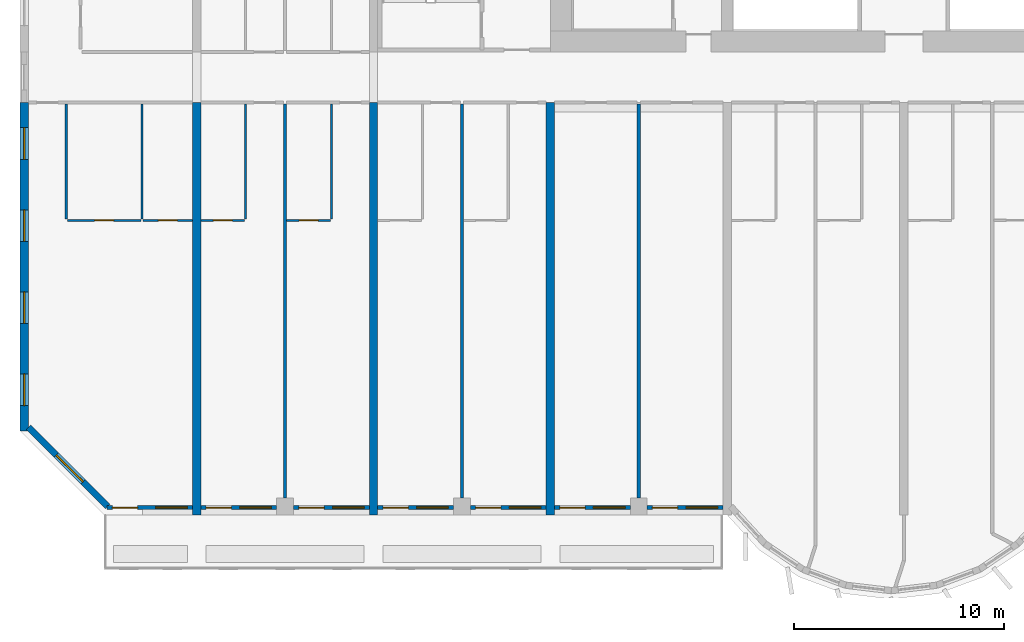
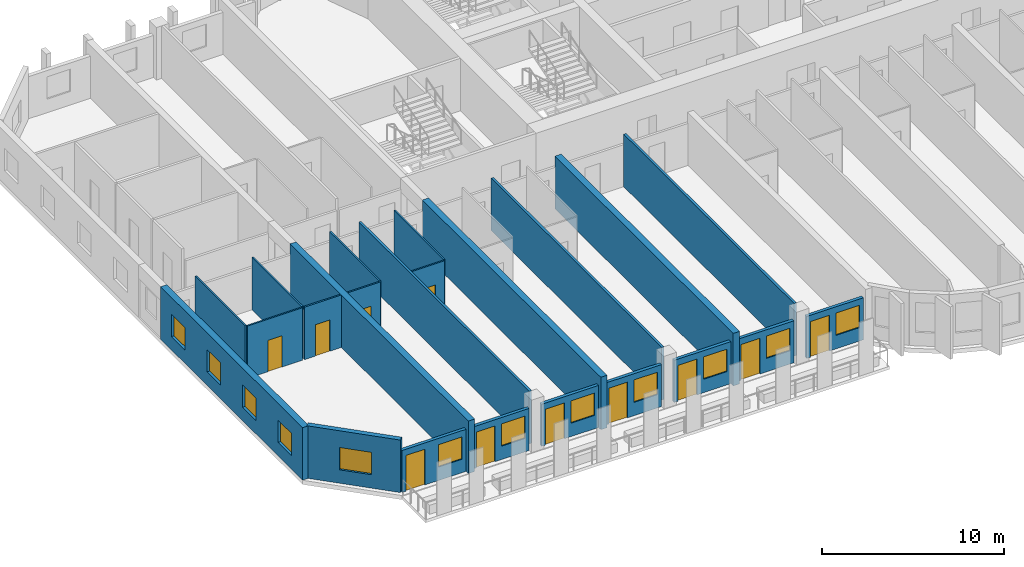
# One storey, part 2 of 14: 23 walls, 12 windows, 11 doors, 23 openings.
"""IFC4 building model written with IfcOpenShell, lengths in metres."""

from ifc_helpers import new_model, si_unit, direction, frame, frame_2d, origin, place, context, subcontext, project, spatial, rectangle, extrude, source, transform, mapped, material, layer, layer_set, type_object, element, fill, save


model = new_model("IFC4")

# Units and contexts
model_context = context("Model", 3, precision=1e-05, world=origin(), true_north=direction((0.0, 1.0)))
body_context = subcontext(model_context, "Body", "Model", "MODEL_VIEW")
ifc_project = project(units=[si_unit("LENGTHUNIT", "METRE"), si_unit("AREAUNIT", "SQUARE_METRE"), si_unit("VOLUMEUNIT", "CUBIC_METRE"), si_unit("PLANEANGLEUNIT", "RADIAN"), si_unit("MASSUNIT", "GRAM", prefix="KILO")], contexts=[model_context])

# Site, building, storey
site_placement = place(None, origin())
site = spatial("IfcSite", under=ifc_project, at=site_placement, CompositionType="ELEMENT")
building_placement = place(site_placement, origin())
building = spatial("IfcBuilding", under=site, at=building_placement, Name="Vanashikhar Sky Hotel", CompositionType="ELEMENT")
storey_placement = place(building_placement, frame((0.0, 0.0, 73.39990234375)))
storey = spatial("IfcBuildingStorey", under=building, at=storey_placement, Name="L17", CompositionType="ELEMENT", Elevation=73.39990234375)

# Wall, openings, windows
ifc_material_1 = material(Name="Concrete M80", Category="concrete")
ifc_layer_1 = layer(ifc_material_1, 0.39990234375)
ifc_layer_set_1 = layer_set([ifc_layer_1], Name="RC shear wall 400 Concrete M80")
wall_type_1 = type_object("IfcWallType", Name="RC shear wall 400 Concrete M80", PredefinedType="SHEAR", material=ifc_layer_set_1)
shared_shape_1 = source(origin(), body_context, "Body", "SweptSolid", [
    extrude(rectangle(XDim=15.60009765625, YDim=0.39990234375, at=frame_2d((7.800048828125, 0.0))), origin(), (0.0, 0.0, 1.0), 3.52001953125),
])
wall_1_placement = place(storey_placement, frame((0.199951171875, 4.0, 0.0), z_axis=(0.0, 0.0, 1.0), x_axis=(0.0, 1.0, 0.0)))
wall_1 = element("IfcWall", 1, at=wall_1_placement, inside=storey, type_object=wall_type_1, Name="CW-L17-XW01-1", PredefinedType="SHEAR", context=body_context, shape_type="MappedRepresentation", body=[
    mapped(shared_shape_1, transform((0.0, 0.0, 0.0), scale=1.0)),
])
shared_shape_2 = source(origin(), body_context, "Body", "SweptSolid", [
    extrude(rectangle(XDim=1.5, YDim=1.5, at=frame_2d((0.75, 0.75))), frame((0.0, 0.2099609375, 0.0), z_axis=(0.0, -1.0, 0.0), x_axis=(1.0, 0.0, 0.0)), (0.0, 0.0, 1.0), 0.419921875),
])
opening_1_placement = place(wall_1_placement, frame((1.199951171875, 0.0, 0.89990234375)))
opening_1 = element("IfcOpeningElement", 2, at=opening_1_placement, cuts=wall_1, Name="Opening WN-1", PredefinedType="OPENING", context=body_context, shape_type="MappedRepresentation", body=[
    mapped(shared_shape_2, transform((0.0, 0.0, 0.0), scale=1.0)),
])
opening_2_placement = place(wall_1_placement, frame((5.10009765625, 0.0, 0.89990234375)))
opening_2 = element("IfcOpeningElement", 3, at=opening_2_placement, cuts=wall_1, Name="Opening WN-1", PredefinedType="OPENING", context=body_context, shape_type="MappedRepresentation", body=[
    mapped(shared_shape_2, transform((0.0, 0.0, 0.0), scale=1.0)),
])
opening_3_placement = place(wall_1_placement, frame((9.0, 0.0, 0.89990234375)))
opening_3 = element("IfcOpeningElement", 4, at=opening_3_placement, cuts=wall_1, Name="Opening WN-1", PredefinedType="OPENING", context=body_context, shape_type="MappedRepresentation", body=[
    mapped(shared_shape_2, transform((0.0, 0.0, 0.0), scale=1.0)),
])
opening_4_placement = place(wall_1_placement, frame((12.89990234375, 0.0, 0.89990234375)))
opening_4 = element("IfcOpeningElement", 5, at=opening_4_placement, cuts=wall_1, Name="Opening WN-1", PredefinedType="OPENING", context=body_context, shape_type="MappedRepresentation", body=[
    mapped(shared_shape_2, transform((0.0, 0.0, 0.0), scale=1.0)),
])
ifc_material_2 = material(Name="Glass", Category="glass")
window_type_1 = type_object("IfcWindowType", Name="Window 1500 x 1500", PartitioningType="SINGLE_PANEL", PredefinedType="WINDOW", material=ifc_material_2)
shared_shape_3 = source(origin(), body_context, "Body", "SweptSolid", [
    extrude(rectangle(XDim=1.5, YDim=1.5, at=frame_2d((0.75, 0.75))), frame((0.0, 0.030029296875, 0.0), z_axis=(0.0, -1.0, 0.0), x_axis=(1.0, 0.0, 0.0)), (0.0, 0.0, 1.0), 0.06005859375),
])
window_1_placement = place(opening_1_placement, origin())
window_1 = element("IfcWindow", 6, at=window_1_placement, inside=storey, type_object=window_type_1, Name="Window WN-1", OverallHeight=1.5, OverallWidth=1.5, PartitioningType="SINGLE_PANEL", PredefinedType="WINDOW", context=body_context, shape_type="MappedRepresentation", body=[
    mapped(shared_shape_3, transform((0.0, 0.0, 0.0), scale=1.0)),
])
fill(opening_1, window_1)
window_2_placement = place(opening_2_placement, origin())
window_2 = element("IfcWindow", 7, at=window_2_placement, inside=storey, type_object=window_type_1, Name="Window WN-1", OverallHeight=1.5, OverallWidth=1.5, PartitioningType="SINGLE_PANEL", PredefinedType="WINDOW", context=body_context, shape_type="MappedRepresentation", body=[
    mapped(shared_shape_3, transform((0.0, 0.0, 0.0), scale=1.0)),
])
fill(opening_2, window_2)
window_3_placement = place(opening_3_placement, origin())
window_3 = element("IfcWindow", 8, at=window_3_placement, inside=storey, type_object=window_type_1, Name="Window WN-1", OverallHeight=1.5, OverallWidth=1.5, PartitioningType="SINGLE_PANEL", PredefinedType="WINDOW", context=body_context, shape_type="MappedRepresentation", body=[
    mapped(shared_shape_3, transform((0.0, 0.0, 0.0), scale=1.0)),
])
fill(opening_3, window_3)
window_4_placement = place(opening_4_placement, origin())
window_4 = element("IfcWindow", 9, at=window_4_placement, inside=storey, type_object=window_type_1, Name="Window WN-1", OverallHeight=1.5, OverallWidth=1.5, PartitioningType="SINGLE_PANEL", PredefinedType="WINDOW", context=body_context, shape_type="MappedRepresentation", body=[
    mapped(shared_shape_3, transform((0.0, 0.0, 0.0), scale=1.0)),
])
fill(opening_4, window_4)

# Walls
shared_shape_4 = source(origin(), body_context, "Body", "SweptSolid", [
    extrude(rectangle(XDim=19.60009765625, YDim=0.39990234375, at=frame_2d((9.800048828125, 0.0))), origin(), (0.0, 0.0, 1.0), 3.52001953125),
])
for number, where, z_axis, x_axis, name in (
    (10, (8.39990234375, 0.0, 0.0), (0.0, 0.0, 1.0), (0.0, 1.0, 0.0), "CW-L17-XW02-1"),
    (11, (16.800048828125, 0.0, 0.0), (0.0, 0.0, 1.0), (0.0, 1.0, 0.0), "CW-L17-XW03-1"),
    (12, (25.199951171875, 0.0, 0.0), (0.0, 0.0, 1.0), (0.0, 1.0, 0.0), "CW-L17-XW04-1"),
):
    element("IfcWall", number, at=place(storey_placement, frame(where, z_axis=z_axis, x_axis=x_axis)), inside=storey, type_object=wall_type_1, Name=name, PredefinedType="SHEAR", context=body_context, shape_type="MappedRepresentation", body=[
        mapped(shared_shape_4, transform((0.0, 0.0, 0.0), scale=1.0)),
    ])

# Wall, opening, window
ifc_material_3 = material(Name="Concrete M50", Category="concrete")
ifc_layer_2 = layer(ifc_material_3, 0.300048828125)
ifc_layer_set_2 = layer_set([ifc_layer_2], Name="Lobe wall 300")
wall_type_2 = type_object("IfcWallType", Name="Lobe wall 300", PredefinedType="SOLIDWALL", material=ifc_layer_set_2)
shared_shape_5 = source(origin(), body_context, "Body", "SweptSolid", [
    extrude(rectangle(XDim=5.32568359375, YDim=0.300048828125, at=frame_2d((2.662841796875, 0.0))), origin(), (0.0, 0.0, 1.0), 3.52001953125),
])
wall_2_placement = place(storey_placement, frame((0.39990234375, 4.165771484375, 0.0), z_axis=(0.0, 0.0, 1.0), x_axis=(0.707106781187, -0.707106781187, 0.0)))
wall_2 = element("IfcWall", 13, at=wall_2_placement, inside=storey, type_object=wall_type_2, Name="Corner wall", PredefinedType="SOLIDWALL", context=body_context, shape_type="MappedRepresentation", body=[
    mapped(shared_shape_5, transform((0.0, 0.0, 0.0), scale=1.0)),
])
shared_shape_6 = source(origin(), body_context, "Body", "SweptSolid", [
    extrude(rectangle(XDim=1.800048828125, YDim=1.5, at=frame_2d((0.89990234375, 0.75))), frame((0.0, 0.16015625, 0.0), z_axis=(0.0, -1.0, 0.0), x_axis=(1.0, 0.0, 0.0)), (0.0, 0.0, 1.0), 0.320068359375),
])
opening_5_placement = place(wall_2_placement, frame((1.871337890625, 0.0, 0.89990234375)))
opening_5 = element("IfcOpeningElement", 14, at=opening_5_placement, cuts=wall_2, Name="Opening WN-4", PredefinedType="OPENING", context=body_context, shape_type="MappedRepresentation", body=[
    mapped(shared_shape_6, transform((0.0, 0.0, 0.0), scale=1.0)),
])
window_type_2 = type_object("IfcWindowType", Name="Corner window 1800 x 1500", PartitioningType="SINGLE_PANEL", PredefinedType="WINDOW", material=ifc_material_2)
shared_shape_7 = source(origin(), body_context, "Body", "SweptSolid", [
    extrude(rectangle(XDim=1.800048828125, YDim=1.5, at=frame_2d((0.89990234375, 0.75))), frame((0.0, 0.030029296875, 0.0), z_axis=(0.0, -1.0, 0.0), x_axis=(1.0, 0.0, 0.0)), (0.0, 0.0, 1.0), 0.06005859375),
])
window_5_placement = place(opening_5_placement, origin())
window_5 = element("IfcWindow", 15, at=window_5_placement, inside=storey, type_object=window_type_2, Name="Window WN-4", OverallHeight=1.5, OverallWidth=1.800048828125, PartitioningType="SINGLE_PANEL", PredefinedType="WINDOW", context=body_context, shape_type="MappedRepresentation", body=[
    mapped(shared_shape_7, transform((0.0, 0.0, 0.0), scale=1.0)),
])
fill(opening_5, window_5)

# Wall, openings, window, door
ifc_layer_3 = layer(ifc_material_3, 0.199951171875)
ifc_layer_set_3 = layer_set([ifc_layer_3], Name="Front window wall 200")
wall_type_3 = type_object("IfcWallType", Name="Front window wall 200", PredefinedType="SOLIDWALL", material=ifc_layer_set_3)
shared_shape_8 = source(origin(), body_context, "Body", "SweptSolid", [
    extrude(rectangle(XDim=4.054931640625, YDim=0.199951171875, at=frame_2d((2.02734375, 0.0))), origin(), (0.0, 0.0, 1.0), 2.820068359375),
])
wall_3_placement = place(storey_placement, frame((4.14501953125, 0.35009765625, 0.0), z_axis=(0.0, 0.0, 1.0), x_axis=(1.0, 0.0, 0.0)))
wall_3 = element("IfcWall", 16, at=wall_3_placement, inside=storey, type_object=wall_type_3, Name="Front window wall", PredefinedType="SOLIDWALL", context=body_context, shape_type="MappedRepresentation", body=[
    mapped(shared_shape_8, transform((0.0, 0.0, 0.0), scale=1.0)),
])
shared_shape_9 = source(origin(), body_context, "Body", "SweptSolid", [
    extrude(rectangle(XDim=1.199951171875, YDim=2.39990234375, at=frame_2d((0.60009765625, 1.199951171875))), frame((0.0, 0.10986328125, 0.0), z_axis=(0.0, -1.0, 0.0), x_axis=(1.0, 0.0, 0.0)), (0.0, 0.0, 1.0), 0.219970703125),
])
opening_6_placement = place(wall_3_placement, frame((0.25, 0.0, 0.0)))
opening_6 = element("IfcOpeningElement", 17, at=opening_6_placement, cuts=wall_3, Name="Opening BD-01", PredefinedType="OPENING", context=body_context, shape_type="MappedRepresentation", body=[
    mapped(shared_shape_9, transform((0.0, 0.0, 0.0), scale=1.0)),
])
shared_shape_10 = source(origin(), body_context, "Body", "SweptSolid", [
    extrude(rectangle(XDim=1.5, YDim=1.5, at=frame_2d((0.75, 0.75))), frame((0.0, 0.10986328125, 0.0), z_axis=(0.0, -1.0, 0.0), x_axis=(1.0, 0.0, 0.0)), (0.0, 0.0, 1.0), 0.219970703125),
])
opening_7_placement = place(wall_3_placement, frame((2.304931640625, 0.0, 0.89990234375)))
opening_7 = element("IfcOpeningElement", 18, at=opening_7_placement, cuts=wall_3, Name="Opening WN-1", PredefinedType="OPENING", context=body_context, shape_type="MappedRepresentation", body=[
    mapped(shared_shape_10, transform((0.0, 0.0, 0.0), scale=1.0)),
])
window_6_placement = place(opening_7_placement, origin())
window_6 = element("IfcWindow", 19, at=window_6_placement, inside=storey, type_object=window_type_1, Name="Window WN-1", OverallHeight=1.5, OverallWidth=1.5, PartitioningType="SINGLE_PANEL", PredefinedType="WINDOW", context=body_context, shape_type="MappedRepresentation", body=[
    mapped(shared_shape_3, transform((0.0, 0.0, 0.0), scale=1.0)),
])
fill(opening_7, window_6)
ifc_material_4 = material(Name="Aluminium", Category="aluminium")
door_type_1 = type_object("IfcDoorType", Name="Balcony sliding door 1200 x 2400", OperationType="NOTDEFINED", PredefinedType="DOOR", material=ifc_material_4)
shared_shape_11 = source(origin(), body_context, "Body", "SweptSolid", [
    extrude(rectangle(XDim=1.199951171875, YDim=2.39990234375, at=frame_2d((0.60009765625, 1.199951171875))), frame((0.0, 0.02490234375, 0.0), z_axis=(0.0, -1.0, 0.0), x_axis=(1.0, 0.0, 0.0)), (0.0, 0.0, 1.0), 0.050048828125),
])
door_1_placement = place(opening_6_placement, origin())
door_1 = element("IfcDoor", 20, at=door_1_placement, inside=storey, type_object=door_type_1, Name="Balcony sliding door", OperationType="SLIDING_TO_LEFT", OverallHeight=2.39990234375, OverallWidth=1.199951171875, PredefinedType="DOOR", context=body_context, shape_type="MappedRepresentation", body=[
    mapped(shared_shape_11, transform((0.0, 0.0, 0.0), scale=1.0)),
])
fill(opening_6, door_1)

shared_shape_12 = source(origin(), body_context, "Body", "SweptSolid", [
    extrude(rectangle(XDim=3.599853515625, YDim=0.199951171875, at=frame_2d((1.7998046875, 0.0))), origin(), (0.0, 0.0, 1.0), 2.820068359375),
])
wall_4_placement = place(storey_placement, frame((8.60009765625, 0.35009765625, 0.0), z_axis=(0.0, 0.0, 1.0), x_axis=(1.0, 0.0, 0.0)))
wall_4 = element("IfcWall", 21, at=wall_4_placement, inside=storey, type_object=wall_type_3, Name="Front window wall", PredefinedType="SOLIDWALL", context=body_context, shape_type="MappedRepresentation", body=[
    mapped(shared_shape_12, transform((0.0, 0.0, 0.0), scale=1.0)),
])
opening_8_placement = place(wall_4_placement, frame((0.25, 0.0, 0.0)))
opening_8 = element("IfcOpeningElement", 22, at=opening_8_placement, cuts=wall_4, Name="Opening BD-02", PredefinedType="OPENING", context=body_context, shape_type="MappedRepresentation", body=[
    mapped(shared_shape_9, transform((0.0, 0.0, 0.0), scale=1.0)),
])
opening_9_placement = place(wall_4_placement, frame((1.85009765625, 0.0, 0.89990234375)))
opening_9 = element("IfcOpeningElement", 23, at=opening_9_placement, cuts=wall_4, Name="Opening WN-1", PredefinedType="OPENING", context=body_context, shape_type="MappedRepresentation", body=[
    mapped(shared_shape_10, transform((0.0, 0.0, 0.0), scale=1.0)),
])
window_7_placement = place(opening_9_placement, origin())
window_7 = element("IfcWindow", 24, at=window_7_placement, inside=storey, type_object=window_type_1, Name="Window WN-1", OverallHeight=1.5, OverallWidth=1.5, PartitioningType="SINGLE_PANEL", PredefinedType="WINDOW", context=body_context, shape_type="MappedRepresentation", body=[
    mapped(shared_shape_3, transform((0.0, 0.0, 0.0), scale=1.0)),
])
fill(opening_9, window_7)
door_2_placement = place(opening_8_placement, origin())
door_2 = element("IfcDoor", 25, at=door_2_placement, inside=storey, type_object=door_type_1, Name="Balcony sliding door", OperationType="SLIDING_TO_RIGHT", OverallHeight=2.39990234375, OverallWidth=1.199951171875, PredefinedType="DOOR", context=body_context, shape_type="MappedRepresentation", body=[
    mapped(shared_shape_11, transform((0.0, 0.0, 0.0), scale=1.0)),
])
fill(opening_8, door_2)

wall_5_placement = place(storey_placement, frame((29.800048828125, 0.35009765625, 0.0), z_axis=(0.0, 0.0, 1.0), x_axis=(1.0, 0.0, 0.0)))
wall_5 = element("IfcWall", 26, at=wall_5_placement, inside=storey, type_object=wall_type_3, Name="Front window wall", PredefinedType="SOLIDWALL", context=body_context, shape_type="MappedRepresentation", body=[
    mapped(shared_shape_12, transform((0.0, 0.0, 0.0), scale=1.0)),
])
opening_10_placement = place(wall_5_placement, frame((0.25, 0.0, 0.0)))
opening_10 = element("IfcOpeningElement", 27, at=opening_10_placement, cuts=wall_5, Name="Opening BD-07", PredefinedType="OPENING", context=body_context, shape_type="MappedRepresentation", body=[
    mapped(shared_shape_9, transform((0.0, 0.0, 0.0), scale=1.0)),
])
opening_11_placement = place(wall_5_placement, frame((1.85009765625, 0.0, 0.89990234375)))
opening_11 = element("IfcOpeningElement", 28, at=opening_11_placement, cuts=wall_5, Name="Opening WN-1", PredefinedType="OPENING", context=body_context, shape_type="MappedRepresentation", body=[
    mapped(shared_shape_10, transform((0.0, 0.0, 0.0), scale=1.0)),
])
window_8_placement = place(opening_11_placement, origin())
window_8 = element("IfcWindow", 29, at=window_8_placement, inside=storey, type_object=window_type_1, Name="Window WN-1", OverallHeight=1.5, OverallWidth=1.5, PartitioningType="SINGLE_PANEL", PredefinedType="WINDOW", context=body_context, shape_type="MappedRepresentation", body=[
    mapped(shared_shape_3, transform((0.0, 0.0, 0.0), scale=1.0)),
])
fill(opening_11, window_8)
door_3_placement = place(opening_10_placement, origin())
door_3 = element("IfcDoor", 30, at=door_3_placement, inside=storey, type_object=door_type_1, Name="Balcony sliding door", OperationType="SLIDING_TO_LEFT", OverallHeight=2.39990234375, OverallWidth=1.199951171875, PredefinedType="DOOR", context=body_context, shape_type="MappedRepresentation", body=[
    mapped(shared_shape_11, transform((0.0, 0.0, 0.0), scale=1.0)),
])
fill(opening_10, door_3)

shared_shape_13 = source(origin(), body_context, "Body", "SweptSolid", [
    extrude(rectangle(XDim=3.60009765625, YDim=0.199951171875, at=frame_2d((1.800048828125, 0.0))), origin(), (0.0, 0.0, 1.0), 2.820068359375),
])
wall_6_placement = place(storey_placement, frame((13.0, 0.35009765625, 0.0), z_axis=(0.0, 0.0, 1.0), x_axis=(1.0, 0.0, 0.0)))
wall_6 = element("IfcWall", 31, at=wall_6_placement, inside=storey, type_object=wall_type_3, Name="Front window wall", PredefinedType="SOLIDWALL", context=body_context, shape_type="MappedRepresentation", body=[
    mapped(shared_shape_13, transform((0.0, 0.0, 0.0), scale=1.0)),
])
opening_12_placement = place(wall_6_placement, frame((0.25, 0.0, 0.0)))
opening_12 = element("IfcOpeningElement", 32, at=opening_12_placement, cuts=wall_6, Name="Opening BD-03", PredefinedType="OPENING", context=body_context, shape_type="MappedRepresentation", body=[
    mapped(shared_shape_9, transform((0.0, 0.0, 0.0), scale=1.0)),
])
opening_13_placement = place(wall_6_placement, frame((1.85009765625, 0.0, 0.89990234375)))
opening_13 = element("IfcOpeningElement", 33, at=opening_13_placement, cuts=wall_6, Name="Opening WN-1", PredefinedType="OPENING", context=body_context, shape_type="MappedRepresentation", body=[
    mapped(shared_shape_10, transform((0.0, 0.0, 0.0), scale=1.0)),
])
window_9_placement = place(opening_13_placement, origin())
window_9 = element("IfcWindow", 34, at=window_9_placement, inside=storey, type_object=window_type_1, Name="Window WN-1", OverallHeight=1.5, OverallWidth=1.5, PartitioningType="SINGLE_PANEL", PredefinedType="WINDOW", context=body_context, shape_type="MappedRepresentation", body=[
    mapped(shared_shape_3, transform((0.0, 0.0, 0.0), scale=1.0)),
])
fill(opening_13, window_9)
door_4_placement = place(opening_12_placement, origin())
door_4 = element("IfcDoor", 35, at=door_4_placement, inside=storey, type_object=door_type_1, Name="Balcony sliding door", OperationType="SLIDING_TO_LEFT", OverallHeight=2.39990234375, OverallWidth=1.199951171875, PredefinedType="DOOR", context=body_context, shape_type="MappedRepresentation", body=[
    mapped(shared_shape_11, transform((0.0, 0.0, 0.0), scale=1.0)),
])
fill(opening_12, door_4)

wall_7_placement = place(storey_placement, frame((17.0, 0.35009765625, 0.0), z_axis=(0.0, 0.0, 1.0), x_axis=(1.0, 0.0, 0.0)))
wall_7 = element("IfcWall", 36, at=wall_7_placement, inside=storey, type_object=wall_type_3, Name="Front window wall", PredefinedType="SOLIDWALL", context=body_context, shape_type="MappedRepresentation", body=[
    mapped(shared_shape_13, transform((0.0, 0.0, 0.0), scale=1.0)),
])
opening_14_placement = place(wall_7_placement, frame((0.25, 0.0, 0.0)))
opening_14 = element("IfcOpeningElement", 37, at=opening_14_placement, cuts=wall_7, Name="Opening BD-04", PredefinedType="OPENING", context=body_context, shape_type="MappedRepresentation", body=[
    mapped(shared_shape_9, transform((0.0, 0.0, 0.0), scale=1.0)),
])
opening_15_placement = place(wall_7_placement, frame((1.85009765625, 0.0, 0.89990234375)))
opening_15 = element("IfcOpeningElement", 38, at=opening_15_placement, cuts=wall_7, Name="Opening WN-1", PredefinedType="OPENING", context=body_context, shape_type="MappedRepresentation", body=[
    mapped(shared_shape_10, transform((0.0, 0.0, 0.0), scale=1.0)),
])
window_10_placement = place(opening_15_placement, origin())
window_10 = element("IfcWindow", 39, at=window_10_placement, inside=storey, type_object=window_type_1, Name="Window WN-1", OverallHeight=1.5, OverallWidth=1.5, PartitioningType="SINGLE_PANEL", PredefinedType="WINDOW", context=body_context, shape_type="MappedRepresentation", body=[
    mapped(shared_shape_3, transform((0.0, 0.0, 0.0), scale=1.0)),
])
fill(opening_15, window_10)
door_5_placement = place(opening_14_placement, origin())
door_5 = element("IfcDoor", 40, at=door_5_placement, inside=storey, type_object=door_type_1, Name="Balcony sliding door", OperationType="SLIDING_TO_RIGHT", OverallHeight=2.39990234375, OverallWidth=1.199951171875, PredefinedType="DOOR", context=body_context, shape_type="MappedRepresentation", body=[
    mapped(shared_shape_11, transform((0.0, 0.0, 0.0), scale=1.0)),
])
fill(opening_14, door_5)

wall_8_placement = place(storey_placement, frame((21.39990234375, 0.35009765625, 0.0), z_axis=(0.0, 0.0, 1.0), x_axis=(1.0, 0.0, 0.0)))
wall_8 = element("IfcWall", 41, at=wall_8_placement, inside=storey, type_object=wall_type_3, Name="Front window wall", PredefinedType="SOLIDWALL", context=body_context, shape_type="MappedRepresentation", body=[
    mapped(shared_shape_13, transform((0.0, 0.0, 0.0), scale=1.0)),
])
opening_16_placement = place(wall_8_placement, frame((0.25, 0.0, 0.0)))
opening_16 = element("IfcOpeningElement", 42, at=opening_16_placement, cuts=wall_8, Name="Opening BD-05", PredefinedType="OPENING", context=body_context, shape_type="MappedRepresentation", body=[
    mapped(shared_shape_9, transform((0.0, 0.0, 0.0), scale=1.0)),
])
opening_17_placement = place(wall_8_placement, frame((1.85009765625, 0.0, 0.89990234375)))
opening_17 = element("IfcOpeningElement", 43, at=opening_17_placement, cuts=wall_8, Name="Opening WN-1", PredefinedType="OPENING", context=body_context, shape_type="MappedRepresentation", body=[
    mapped(shared_shape_10, transform((0.0, 0.0, 0.0), scale=1.0)),
])
window_11_placement = place(opening_17_placement, origin())
window_11 = element("IfcWindow", 44, at=window_11_placement, inside=storey, type_object=window_type_1, Name="Window WN-1", OverallHeight=1.5, OverallWidth=1.5, PartitioningType="SINGLE_PANEL", PredefinedType="WINDOW", context=body_context, shape_type="MappedRepresentation", body=[
    mapped(shared_shape_3, transform((0.0, 0.0, 0.0), scale=1.0)),
])
fill(opening_17, window_11)
door_6_placement = place(opening_16_placement, origin())
door_6 = element("IfcDoor", 45, at=door_6_placement, inside=storey, type_object=door_type_1, Name="Balcony sliding door", OperationType="SLIDING_TO_LEFT", OverallHeight=2.39990234375, OverallWidth=1.199951171875, PredefinedType="DOOR", context=body_context, shape_type="MappedRepresentation", body=[
    mapped(shared_shape_11, transform((0.0, 0.0, 0.0), scale=1.0)),
])
fill(opening_16, door_6)

wall_9_placement = place(storey_placement, frame((25.39990234375, 0.35009765625, 0.0), z_axis=(0.0, 0.0, 1.0), x_axis=(1.0, 0.0, 0.0)))
wall_9 = element("IfcWall", 46, at=wall_9_placement, inside=storey, type_object=wall_type_3, Name="Front window wall", PredefinedType="SOLIDWALL", context=body_context, shape_type="MappedRepresentation", body=[
    mapped(shared_shape_13, transform((0.0, 0.0, 0.0), scale=1.0)),
])
opening_18_placement = place(wall_9_placement, frame((0.25, 0.0, 0.0)))
opening_18 = element("IfcOpeningElement", 47, at=opening_18_placement, cuts=wall_9, Name="Opening BD-06", PredefinedType="OPENING", context=body_context, shape_type="MappedRepresentation", body=[
    mapped(shared_shape_9, transform((0.0, 0.0, 0.0), scale=1.0)),
])
opening_19_placement = place(wall_9_placement, frame((1.85009765625, 0.0, 0.89990234375)))
opening_19 = element("IfcOpeningElement", 48, at=opening_19_placement, cuts=wall_9, Name="Opening WN-1", PredefinedType="OPENING", context=body_context, shape_type="MappedRepresentation", body=[
    mapped(shared_shape_10, transform((0.0, 0.0, 0.0), scale=1.0)),
])
window_12_placement = place(opening_19_placement, origin())
window_12 = element("IfcWindow", 49, at=window_12_placement, inside=storey, type_object=window_type_1, Name="Window WN-1", OverallHeight=1.5, OverallWidth=1.5, PartitioningType="SINGLE_PANEL", PredefinedType="WINDOW", context=body_context, shape_type="MappedRepresentation", body=[
    mapped(shared_shape_3, transform((0.0, 0.0, 0.0), scale=1.0)),
])
fill(opening_19, window_12)
door_7_placement = place(opening_18_placement, origin())
door_7 = element("IfcDoor", 50, at=door_7_placement, inside=storey, type_object=door_type_1, Name="Balcony sliding door", OperationType="SLIDING_TO_RIGHT", OverallHeight=2.39990234375, OverallWidth=1.199951171875, PredefinedType="DOOR", context=body_context, shape_type="MappedRepresentation", body=[
    mapped(shared_shape_11, transform((0.0, 0.0, 0.0), scale=1.0)),
])
fill(opening_18, door_7)

# Wall, opening, door
ifc_material_5 = material(Name="Gypsum plasterboard partition")
ifc_layer_4 = layer(ifc_material_5, 0.10009765625)
ifc_layer_set_4 = layer_set([ifc_layer_4], Name="Wet room partition 100")
wall_type_4 = type_object("IfcWallType", Name="Wet room partition 100", PredefinedType="PARTITIONING", material=ifc_layer_set_4)
shared_shape_14 = source(origin(), body_context, "Body", "SweptSolid", [
    extrude(rectangle(XDim=3.5, YDim=0.10009765625, at=frame_2d((1.75, 0.0))), origin(), (0.0, 0.0, 1.0), 3.52001953125),
])
wall_10_placement = place(storey_placement, frame((2.25, 14.0, 0.0), z_axis=(0.0, 0.0, 1.0), x_axis=(1.0, 0.0, 0.0)))
wall_10 = element("IfcWall", 51, at=wall_10_placement, inside=storey, type_object=wall_type_4, Name="W-L17-PW003", PredefinedType="PARTITIONING", context=body_context, shape_type="MappedRepresentation", body=[
    mapped(shared_shape_14, transform((0.0, 0.0, 0.0), scale=1.0)),
])
shared_shape_15 = source(origin(), body_context, "Body", "SweptSolid", [
    extrude(rectangle(XDim=0.89990234375, YDim=2.10009765625, at=frame_2d((0.449951171875, 1.050048828125))), frame((0.0, 0.06005859375, 0.0), z_axis=(0.0, -1.0, 0.0), x_axis=(1.0, 0.0, 0.0)), (0.0, 0.0, 1.0), 0.1201171875),
])
opening_20_placement = place(wall_10_placement, frame((1.300048828125, 0.0, 0.0)))
opening_20 = element("IfcOpeningElement", 52, at=opening_20_placement, cuts=wall_10, Name="Opening D-02", PredefinedType="OPENING", context=body_context, shape_type="MappedRepresentation", body=[
    mapped(shared_shape_15, transform((0.0, 0.0, 0.0), scale=1.0)),
])
ifc_material_6 = material(Name="Timber door", Category="wood")
door_type_2 = type_object("IfcDoorType", Name="Internal door 900", OperationType="NOTDEFINED", PredefinedType="DOOR", material=ifc_material_6)
shared_shape_16 = source(origin(), body_context, "Body", "SweptSolid", [
    extrude(rectangle(XDim=0.89990234375, YDim=2.10009765625, at=frame_2d((0.449951171875, 1.050048828125))), frame((0.0, 0.02490234375, 0.0), z_axis=(0.0, -1.0, 0.0), x_axis=(1.0, 0.0, 0.0)), (0.0, 0.0, 1.0), 0.050048828125),
])
door_8_placement = place(opening_20_placement, origin())
door_8 = element("IfcDoor", 53, at=door_8_placement, inside=storey, type_object=door_type_2, Name="D-L17-001", OperationType="SINGLE_SWING_LEFT", OverallHeight=2.10009765625, OverallWidth=0.89990234375, PredefinedType="DOOR", context=body_context, shape_type="MappedRepresentation", body=[
    mapped(shared_shape_16, transform((0.0, 0.0, 0.0), scale=1.0)),
])
fill(opening_20, door_8)

shared_shape_17 = source(origin(), body_context, "Body", "SweptSolid", [
    extrude(rectangle(XDim=2.349853515625, YDim=0.10009765625, at=frame_2d((1.1748046875, 0.0))), origin(), (0.0, 0.0, 1.0), 3.52001953125),
])
wall_11_placement = place(storey_placement, frame((5.85009765625, 14.0, 0.0), z_axis=(0.0, 0.0, 1.0), x_axis=(1.0, 0.0, 0.0)))
wall_11 = element("IfcWall", 54, at=wall_11_placement, inside=storey, type_object=wall_type_4, Name="W-L17-PW004", PredefinedType="PARTITIONING", context=body_context, shape_type="MappedRepresentation", body=[
    mapped(shared_shape_17, transform((0.0, 0.0, 0.0), scale=1.0)),
])
opening_21_placement = place(wall_11_placement, frame((0.72509765625, 0.0, 0.0)))
opening_21 = element("IfcOpeningElement", 55, at=opening_21_placement, cuts=wall_11, Name="Opening D-02", PredefinedType="OPENING", context=body_context, shape_type="MappedRepresentation", body=[
    mapped(shared_shape_15, transform((0.0, 0.0, 0.0), scale=1.0)),
])
door_9_placement = place(opening_21_placement, origin())
door_9 = element("IfcDoor", 56, at=door_9_placement, inside=storey, type_object=door_type_2, Name="D-L17-002", OperationType="SINGLE_SWING_LEFT", OverallHeight=2.10009765625, OverallWidth=0.89990234375, PredefinedType="DOOR", context=body_context, shape_type="MappedRepresentation", body=[
    mapped(shared_shape_16, transform((0.0, 0.0, 0.0), scale=1.0)),
])
fill(opening_21, door_9)

shared_shape_18 = source(origin(), body_context, "Body", "SweptSolid", [
    extrude(rectangle(XDim=2.074951171875, YDim=0.10009765625, at=frame_2d((1.03759765625, 0.0))), origin(), (0.0, 0.0, 1.0), 3.52001953125),
])
wall_12_placement = place(storey_placement, frame((8.60009765625, 14.0, 0.0), z_axis=(0.0, 0.0, 1.0), x_axis=(1.0, 0.0, 0.0)))
wall_12 = element("IfcWall", 57, at=wall_12_placement, inside=storey, type_object=wall_type_4, Name="W-L17-PW007", PredefinedType="PARTITIONING", context=body_context, shape_type="MappedRepresentation", body=[
    mapped(shared_shape_18, transform((0.0, 0.0, 0.0), scale=1.0)),
])
opening_22_placement = place(wall_12_placement, frame((0.587890625, 0.0, 0.0)))
opening_22 = element("IfcOpeningElement", 58, at=opening_22_placement, cuts=wall_12, Name="Opening D-02", PredefinedType="OPENING", context=body_context, shape_type="MappedRepresentation", body=[
    mapped(shared_shape_15, transform((0.0, 0.0, 0.0), scale=1.0)),
])
door_10_placement = place(opening_22_placement, origin())
door_10 = element("IfcDoor", 59, at=door_10_placement, inside=storey, type_object=door_type_2, Name="D-L17-004", OperationType="SINGLE_SWING_RIGHT", OverallHeight=2.10009765625, OverallWidth=0.89990234375, PredefinedType="DOOR", context=body_context, shape_type="MappedRepresentation", body=[
    mapped(shared_shape_16, transform((0.0, 0.0, 0.0), scale=1.0)),
])
fill(opening_22, door_10)

wall_13_placement = place(storey_placement, frame((12.675048828125, 14.0, 0.0), z_axis=(0.0, 0.0, 1.0), x_axis=(1.0, 0.0, 0.0)))
wall_13 = element("IfcWall", 60, at=wall_13_placement, inside=storey, type_object=wall_type_4, Name="W-L17-PW010", PredefinedType="PARTITIONING", context=body_context, shape_type="MappedRepresentation", body=[
    mapped(shared_shape_18, transform((0.0, 0.0, 0.0), scale=1.0)),
])
opening_23_placement = place(wall_13_placement, frame((0.5869140625, 0.0, 0.0)))
opening_23 = element("IfcOpeningElement", 61, at=opening_23_placement, cuts=wall_13, Name="Opening D-02", PredefinedType="OPENING", context=body_context, shape_type="MappedRepresentation", body=[
    mapped(shared_shape_15, transform((0.0, 0.0, 0.0), scale=1.0)),
])
door_11_placement = place(opening_23_placement, origin())
door_11 = element("IfcDoor", 62, at=door_11_placement, inside=storey, type_object=door_type_2, Name="D-L17-006", OperationType="SINGLE_SWING_RIGHT", OverallHeight=2.10009765625, OverallWidth=0.89990234375, PredefinedType="DOOR", context=body_context, shape_type="MappedRepresentation", body=[
    mapped(shared_shape_16, transform((0.0, 0.0, 0.0), scale=1.0)),
])
fill(opening_23, door_11)

# Walls
ifc_layer_5 = layer(ifc_material_5, 0.14990234375)
ifc_layer_set_5 = layer_set([ifc_layer_5], Name="Corridor and demising partition 150")
wall_type_5 = type_object("IfcWallType", Name="Corridor and demising partition 150", PredefinedType="PARTITIONING", material=ifc_layer_set_5)
shared_shape_19 = source(origin(), body_context, "Body", "SweptSolid", [
    extrude(rectangle(XDim=18.724853515625, YDim=0.14990234375, at=frame_2d((9.3623046875, 0.0))), origin(), (0.0, 0.0, 1.0), 3.52001953125),
])
for number, where, z_axis, x_axis, name in (
    (63, (12.60009765625, 0.800048828125, 0.0), (0.0, 0.0, 1.0), (0.0, 1.0, 0.0), "W-L17-PW012"),
    (64, (21.0, 0.800048828125, 0.0), (0.0, 0.0, 1.0), (0.0, 1.0, 0.0), "W-L17-PW019"),
    (65, (29.39990234375, 0.800048828125, 0.0), (0.0, 0.0, 1.0), (0.0, 1.0, 0.0), "W-L17-PW022"),
):
    element("IfcWall", number, at=place(storey_placement, frame(where, z_axis=z_axis, x_axis=x_axis)), inside=storey, type_object=wall_type_5, Name=name, PredefinedType="PARTITIONING", context=body_context, shape_type="MappedRepresentation", body=[
        mapped(shared_shape_19, transform((0.0, 0.0, 0.0), scale=1.0)),
    ])
shared_shape_20 = source(origin(), body_context, "Body", "SweptSolid", [
    extrude(rectangle(XDim=5.449951171875, YDim=0.10009765625, at=frame_2d((2.72509765625, 0.0))), origin(), (0.0, 0.0, 1.0), 3.52001953125),
])
for number, where, z_axis, x_axis, name in (
    (66, (2.199951171875, 14.074951171875, 0.0), (0.0, 0.0, 1.0), (0.0, 1.0, 0.0), "W-L17-PW001"),
    (67, (5.800048828125, 14.074951171875, 0.0), (0.0, 0.0, 1.0), (0.0, 1.0, 0.0), "W-L17-PW002"),
    (68, (10.72509765625, 14.074951171875, 0.0), (0.0, 0.0, 1.0), (0.0, 1.0, 0.0), "W-L17-PW006"),
    (69, (14.800048828125, 14.074951171875, 0.0), (0.0, 0.0, 1.0), (0.0, 1.0, 0.0), "W-L17-PW009"),
):
    element("IfcWall", number, at=place(storey_placement, frame(where, z_axis=z_axis, x_axis=x_axis)), inside=storey, type_object=wall_type_4, Name=name, PredefinedType="PARTITIONING", context=body_context, shape_type="MappedRepresentation", body=[
        mapped(shared_shape_20, transform((0.0, 0.0, 0.0), scale=1.0)),
    ])

save(model, "model.ifc")
